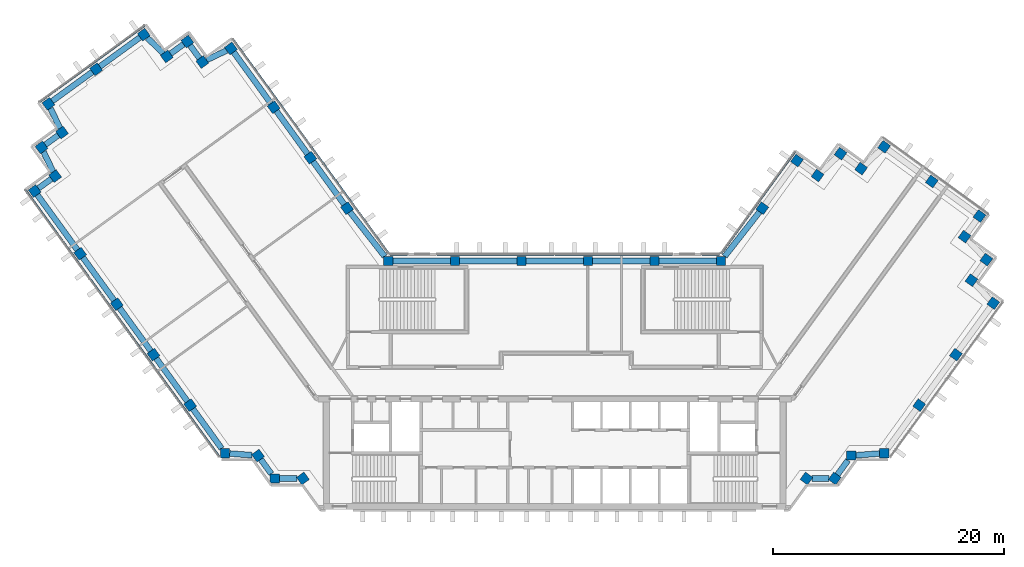
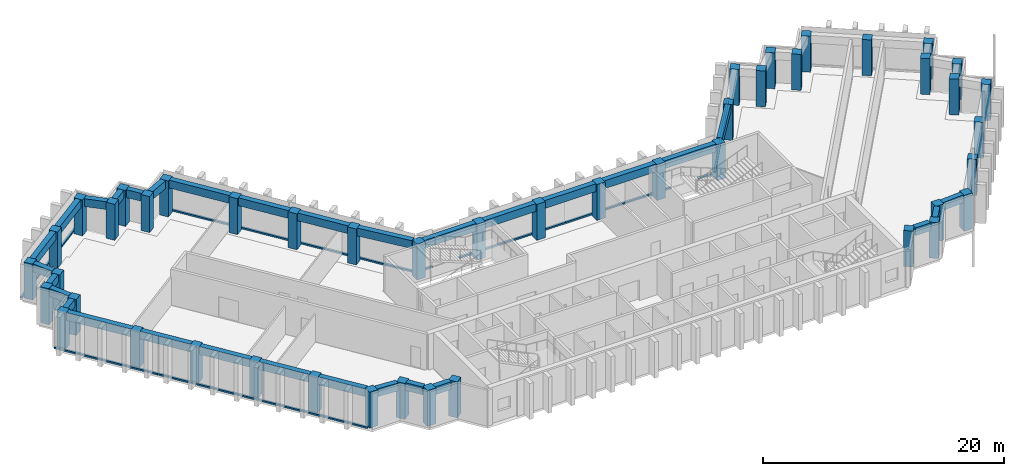
"""IFC4 building model written with IfcOpenShell, lengths in metres."""

from ifc_helpers import new_model, si_unit, direction, frame, origin, origin_2d, place, context, subcontext, project, spatial, rectangle, extrude, material, material_profile, profile_set, type_object, element, aggregate, save


model = new_model("IFC4")

# Units and contexts
model_context = context("Model", 3, precision=1e-05, world=origin(), true_north=direction((0.0, 1.0)))
body_context = subcontext(model_context, "Body", "Model", "MODEL_VIEW")
ifc_project = project(units=[si_unit("LENGTHUNIT", "METRE"), si_unit("AREAUNIT", "SQUARE_METRE"), si_unit("VOLUMEUNIT", "CUBIC_METRE"), si_unit("PLANEANGLEUNIT", "RADIAN"), si_unit("MASSUNIT", "GRAM", prefix="KILO")], contexts=[model_context])

# Site, building, storey
site_placement = place(None, origin())
site = spatial("IfcSite", under=ifc_project, at=site_placement, CompositionType="ELEMENT")
building_placement = place(site_placement, origin())
building = spatial("IfcBuilding", under=site, at=building_placement, Name="Quipu Civic Tower", CompositionType="ELEMENT")
storey_1_placement = place(building_placement, frame((0.0, 0.0, 226.0)))
storey_1 = spatial("IfcBuildingStorey", under=building, at=storey_1_placement, Name="L53", CompositionType="ELEMENT", Elevation=226.0)

# Columns
ifc_material_1 = material(Name="Concrete C50/60", Category="concrete")
ifc_material_profile_1 = material_profile(ifc_material_1, rectangle(XDim=0.800048828125, YDim=0.800048828125, at=origin_2d()), Name="RC800x800")
ifc_profile_set_1 = profile_set([ifc_material_profile_1], Name="Concrete C50/60")
column_type = type_object("IfcColumnType", Name="Perimeter column RC 800x800 C50/60", PredefinedType="COLUMN", material=ifc_profile_set_1)
for number, where, z_axis, x_axis, name in (
    (1, (-17.9736328125, 15.074951171875, 0.0), (0.0, 0.0, 1.0), (-0.587785252292, 0.809016994375, 0.0), "Column L53 W-IN-01"),
    (2, (-21.1474609375, 19.44384765625, 0.0), (0.0, 0.0, 1.0), (-0.587785252292, 0.809016994375, 0.0), "Column L53 W-IN-02"),
    (3, (-24.3212890625, 23.8125, 0.0), (0.0, 0.0, 1.0), (-0.587785252292, 0.809016994375, 0.0), "Column L53 W-IN-03"),
    (4, (-28.02001953125, 28.905029296875, 0.0), (0.0, 0.0, 1.0), (-0.809016994375, -0.587785252292, 0.0), "Column L53 T-Wi.0-W34"),
    (5, (-30.498779296875, 27.72265625, 0.0), (0.0, 0.0, 1.0), (-0.809016994375, -0.587785252292, 0.0), "Column L53 T-Wi.1-W34"),
    (6, (-31.794921875, 29.5, 0.0), (0.0, 0.0, 1.0), (-0.587785252292, 0.809016994375, 0.0), "Column L53 T-Wi.2-W34"),
    (7, (-33.573974609375, 28.20947265625, 0.0), (0.0, 0.0, 1.0), (-0.587785252292, 0.809016994375, 0.0), "Column L53 T-Wi.3-W34"),
    (8, (-35.56494140625, 30.10009765625, 0.0), (0.0, 0.0, 1.0), (-0.809016994375, -0.587785252292, 0.0), "Column L53 T-Wi.4-W34"),
    (9, (-39.690673828125, 27.10205078125, 0.0), (0.0, 0.0, 1.0), (-0.809016994375, -0.587785252292, 0.0), "Column L53 TIP-W-01-W34"),
    (10, (-43.81494140625, 24.10498046875, 0.0), (0.0, 0.0, 1.0), (-0.809016994375, -0.587785252292, 0.0), "Column L53 T-Wo.0-W34"),
    (11, (-42.635009765625, 21.626220703125, 0.0), (0.0, 0.0, 1.0), (-0.809016994375, -0.587785252292, 0.0), "Column L53 T-Wo.1-W34"),
    (12, (-44.4150390625, 20.3349609375, 0.0), (0.0, 0.0, 1.0), (0.587785252292, -0.809016994375, 0.0), "Column L53 T-Wo.2-W34"),
    (13, (-43.23095703125, 17.8544921875, 0.0), (0.0, 0.0, 1.0), (0.587785252292, -0.809016994375, 0.0), "Column L53 T-Wo.3-W34"),
    (14, (-45.010009765625, 16.56005859375, 0.0), (0.0, 0.0, 1.0), (0.587785252292, -0.809016994375, 0.0), "Column L53 T-Wo.4-W34"),
    (15, (-41.0703125, 11.137451171875, 0.0), (0.0, 0.0, 1.0), (0.587785252292, -0.809016994375, 0.0), "Column L53 W-OUT-04"),
    (16, (-37.896240234375, 6.768798828125, 0.0), (0.0, 0.0, 1.0), (0.587785252292, -0.809016994375, 0.0), "Column L53 W-OUT-03"),
    (17, (-34.722412109375, 2.39990234375, 0.0), (0.0, 0.0, 1.0), (0.587785252292, -0.809016994375, 0.0), "Column L53 W-OUT-02"),
    (18, (-31.54833984375, -1.96875, 0.0), (0.0, 0.0, 1.0), (0.587785252292, -0.809016994375, 0.0), "Column L53 W-OUT-01"),
    (19, (-28.52490234375, -6.1298828125, 0.0), (0.0, 0.0, 1.0), (1.0, 0.0, 0.0), "Column L53 J-Wo.0"),
    (20, (-25.67431640625, -6.3369140625, 0.0), (0.0, 0.0, 1.0), (0.587785252292, -0.809016994375, 0.0), "Column L53 J-Wo.1"),
    (21, (-24.235107421875, -8.31494140625, 0.0), (0.0, 0.0, 1.0), (1.0, 0.0, 0.0), "Column L53 J-Wo.2"),
    (22, (-21.791748046875, -8.31494140625, 0.0), (0.0, 0.0, 1.0), (0.587785252292, -0.809016994375, 0.0), "Column L53 J-Wo.3"),
    (23, (21.791748046875, -8.31494140625, 0.0), (0.0, 0.0, 1.0), (0.587785252292, 0.809016994375, 0.0), "Column L53 J-Eo.1"),
    (24, (24.235107421875, -8.31494140625, 0.0), (0.0, 0.0, 1.0), (0.587785252292, 0.809016994375, 0.0), "Column L53 J-Eo.2"),
    (25, (25.67431640625, -6.3369140625, 0.0), (0.0, 0.0, 1.0), (1.0, 0.0, 0.0), "Column L53 J-Eo.3"),
    (26, (28.52490234375, -6.1298828125, 0.0), (0.0, 0.0, 1.0), (1.0, 0.0, 0.0), "Column L53 J-Eo.4"),
    (27, (31.54833984375, -1.96875, 0.0), (0.0, 0.0, 1.0), (0.587785252292, 0.809016994375, 0.0), "Column L53 E-OUT-01"),
    (28, (34.722412109375, 2.39990234375, 0.0), (0.0, 0.0, 1.0), (0.587785252292, 0.809016994375, 0.0), "Column L53 E-OUT-02"),
    (29, (37.9599609375, 6.85498046875, 0.0), (0.0, 0.0, 1.0), (0.587785252292, 0.809016994375, 0.0), "Column L53 T-Eo.0-E22"),
    (30, (36.068115234375, 8.843994140625, 0.0), (0.0, 0.0, 1.0), (0.587785252292, 0.809016994375, 0.0), "Column L53 T-Eo.1-E22"),
    (31, (37.360107421875, 10.625, 0.0), (0.0, 0.0, 1.0), (0.587785252292, 0.809016994375, 0.0), "Column L53 T-Eo.2-E22"),
    (32, (35.470703125, 12.616455078125, 0.0), (0.0, 0.0, 1.0), (-0.809016994375, 0.587785252292, 0.0), "Column L53 T-Eo.3-E22"),
    (33, (36.764892578125, 14.39501953125, 0.0), (0.0, 0.0, 1.0), (-0.809016994375, 0.587785252292, 0.0), "Column L53 T-Eo.4-E22"),
    (34, (32.636962890625, 17.39306640625, 0.0), (0.0, 0.0, 1.0), (-0.809016994375, 0.587785252292, 0.0), "Column L53 TIP-E-01-E22"),
    (35, (28.510009765625, 20.389892578125, 0.0), (0.0, 0.0, 1.0), (-0.587785252292, -0.809016994375, 0.0), "Column L53 T-Ei.0-E22"),
    (36, (26.51904296875, 18.50048828125, 0.0), (0.0, 0.0, 1.0), (-0.809016994375, 0.587785252292, 0.0), "Column L53 T-Ei.1-E22"),
    (37, (24.739990234375, 19.794921875, 0.0), (0.0, 0.0, 1.0), (-0.587785252292, -0.809016994375, 0.0), "Column L53 T-Ei.2-E22"),
    (38, (22.749267578125, 17.904296875, 0.0), (0.0, 0.0, 1.0), (-0.587785252292, -0.809016994375, 0.0), "Column L53 T-Ei.3-E22"),
    (39, (20.969970703125, 19.195068359375, 0.0), (0.0, 0.0, 1.0), (-0.587785252292, -0.809016994375, 0.0), "Column L53 T-Ei.4-E22"),
    (40, (17.9736328125, 15.074951171875, 0.0), (0.0, 0.0, 1.0), (-0.587785252292, -0.809016994375, 0.0), "Column L53 E-IN-01"),
    (41, (14.395263671875, 10.5, 0.0), (0.0, 0.0, 1.0), (-1.0, 0.0, 0.0), "Column L53 J-Ei.0"),
    (42, (8.63720703125, 10.5, 0.0), (0.0, 0.0, 1.0), (-1.0, 0.0, 0.0), "Column L53 FRONT-01"),
    (43, (2.87890625, 10.5, 0.0), (0.0, 0.0, 1.0), (-1.0, 0.0, 0.0), "Column L53 FRONT-02"),
    (44, (-2.87890625, 10.5, 0.0), (0.0, 0.0, 1.0), (-1.0, 0.0, 0.0), "Column L53 FRONT-03"),
    (45, (-8.63720703125, 10.5, 0.0), (0.0, 0.0, 1.0), (-1.0, 0.0, 0.0), "Column L53 FRONT-04"),
    (46, (-14.395263671875, 10.5, 0.0), (0.0, 0.0, 1.0), (-1.0, 0.0, 0.0), "Column L53 J-Wi.0"),
):
    element("IfcColumn", number, at=place(storey_1_placement, frame(where, z_axis=z_axis, x_axis=x_axis)), inside=storey_1, type_object=column_type, Name=name, PredefinedType="COLUMN", context=body_context, shape_type="SweptSolid", body=[
        extrude(rectangle(XDim=0.800048828125, YDim=0.800048828125, at=origin_2d()), origin(), (0.0, 0.0, 1.0), 3.64990234375),
    ])

# Beams
ifc_material_2 = material(Name="Concrete C50/60", Category="concrete")
ifc_material_profile_2 = material_profile(ifc_material_2, rectangle(XDim=0.5, YDim=0.800048828125, at=origin_2d()), Name="RC500x800")
ifc_profile_set_2 = profile_set([ifc_material_profile_2], Name="Concrete C50/60")
beam_type = type_object("IfcBeamType", Name="Spandrel beam RC 500x800 C50/60", PredefinedType="SPANDREL", material=ifc_profile_set_2)
beam_1_placement = place(storey_1_placement, frame((-18.208740234375, 15.398681640625, 3.25), z_axis=(-0.58776136044, 0.809034352283, 0.0), x_axis=(-0.809034352283, -0.58776136044, 0.0)))
element("IfcBeam", 47, at=beam_1_placement, inside=storey_1, type_object=beam_type, Name="Spandrel beam L53 W-IN-01 to W-IN-02", PredefinedType="SPANDREL", context=body_context, shape_type="SweptSolid", body=[
    extrude(rectangle(XDim=0.5, YDim=0.800048828125, at=origin_2d()), origin(), (0.0, 0.0, 1.0), 4.599853515625),
])
beam_2_placement = place(storey_1_placement, frame((-21.382568359375, 19.767333984375, 3.25), z_axis=(-0.587736122681, 0.809052686848, 0.0), x_axis=(-0.809052686848, -0.587736122681, 0.0)))
element("IfcBeam", 48, at=beam_2_placement, inside=storey_1, type_object=beam_type, Name="Spandrel beam L53 W-IN-02 to W-IN-03", PredefinedType="SPANDREL", context=body_context, shape_type="SweptSolid", body=[
    extrude(rectangle(XDim=0.5, YDim=0.800048828125, at=origin_2d()), origin(), (0.0, 0.0, 1.0), 4.60009765625),
])
beam_3_placement = place(storey_1_placement, frame((-24.556396484375, 24.13623046875, 3.25), z_axis=(-0.587664254196, 0.809104890815, 0.0), x_axis=(-0.809104890815, -0.587664254196, 0.0)))
element("IfcBeam", 49, at=beam_3_placement, inside=storey_1, type_object=beam_type, Name="Spandrel beam L53 W-IN-03 to T-Wi.0-W34", PredefinedType="SPANDREL", context=body_context, shape_type="SweptSolid", body=[
    extrude(rectangle(XDim=0.5, YDim=0.800048828125, at=origin_2d()), origin(), (0.0, 0.0, 1.0), 5.493896484375),
])
beam_4_placement = place(storey_1_placement, frame((-28.38720703125, 28.72998046875, 3.25), z_axis=(-0.902584802379, -0.430512107279, 0.0), x_axis=(0.430512107279, -0.902584802379, 0.0)))
element("IfcBeam", 50, at=beam_4_placement, inside=storey_1, type_object=beam_type, Name="Spandrel beam L53 T-Wi.0-W34 to T-Wi.1-W34", PredefinedType="SPANDREL", context=body_context, shape_type="SweptSolid", body=[
    extrude(rectangle(XDim=0.5, YDim=0.800048828125, at=origin_2d()), origin(), (0.0, 0.0, 1.0), 1.9326171875),
])
beam_5_placement = place(storey_1_placement, frame((-30.734375, 28.0458984375, 3.25), z_axis=(-0.589342949835, 0.80788296645, 0.0), x_axis=(-0.80788296645, -0.589342949835, 0.0)))
element("IfcBeam", 51, at=beam_5_placement, inside=storey_1, type_object=beam_type, Name="Spandrel beam L53 T-Wi.1-W34 to T-Wi.2-W34", PredefinedType="SPANDREL", context=body_context, shape_type="SweptSolid", body=[
    extrude(rectangle(XDim=0.5, YDim=0.800048828125, at=origin_2d()), origin(), (0.0, 0.0, 1.0), 1.39990234375),
])
beam_6_placement = place(storey_1_placement, frame((-32.118896484375, 29.26513671875, 3.25), z_axis=(-0.80941533633, -0.587236590578, 0.0), x_axis=(0.587236590578, -0.80941533633, 0.0)))
element("IfcBeam", 52, at=beam_6_placement, inside=storey_1, type_object=beam_type, Name="Spandrel beam L53 T-Wi.2-W34 to T-Wi.3-W34", PredefinedType="SPANDREL", context=body_context, shape_type="SweptSolid", body=[
    extrude(rectangle(XDim=0.5, YDim=0.800048828125, at=origin_2d()), origin(), (0.0, 0.0, 1.0), 1.397705078125),
])
beam_7_placement = place(storey_1_placement, frame((-33.868896484375, 28.489501953125, 3.25), z_axis=(-0.72519185421, 0.68854685722, 0.0), x_axis=(-0.68854685722, -0.72519185421, 0.0)))
element("IfcBeam", 53, at=beam_7_placement, inside=storey_1, type_object=beam_type, Name="Spandrel beam L53 T-Wi.3-W34 to T-Wi.4-W34", PredefinedType="SPANDREL", context=body_context, shape_type="SweptSolid", body=[
    extrude(rectangle(XDim=0.5, YDim=0.800048828125, at=origin_2d()), origin(), (0.0, 0.0, 1.0), 1.93212890625),
])
beam_8_placement = place(storey_1_placement, frame((-35.888671875, 29.86474609375, 3.25), z_axis=(-0.808983997561, -0.58783066583, 0.0), x_axis=(0.58783066583, -0.808983997561, 0.0)))
element("IfcBeam", 54, at=beam_8_placement, inside=storey_1, type_object=beam_type, Name="Spandrel beam L53 T-Wi.4-W34 to TIP-W-01-W34", PredefinedType="SPANDREL", context=body_context, shape_type="SweptSolid", body=[
    extrude(rectangle(XDim=0.5, YDim=0.800048828125, at=origin_2d()), origin(), (0.0, 0.0, 1.0), 4.2998046875),
])
beam_9_placement = place(storey_1_placement, frame((-40.014404296875, 26.866943359375, 3.25), z_axis=(-0.808947267178, -0.587881211578, 0.0), x_axis=(0.587881211578, -0.808947267178, 0.0)))
element("IfcBeam", 55, at=beam_9_placement, inside=storey_1, type_object=beam_type, Name="Spandrel beam L53 TIP-W-01-W34 to T-Wo.0-W34", PredefinedType="SPANDREL", context=body_context, shape_type="SweptSolid", body=[
    extrude(rectangle(XDim=0.5, YDim=0.800048828125, at=origin_2d()), origin(), (0.0, 0.0, 1.0), 4.29833984375),
])
beam_10_placement = place(storey_1_placement, frame((-43.64013671875, 23.737548828125, 3.25), z_axis=(0.429889421342, -0.902881545618, 0.0), x_axis=(0.902881545618, 0.429889421342, 0.0)))
element("IfcBeam", 56, at=beam_10_placement, inside=storey_1, type_object=beam_type, Name="Spandrel beam L53 T-Wo.0-W34 to T-Wo.1-W34", PredefinedType="SPANDREL", context=body_context, shape_type="SweptSolid", body=[
    extrude(rectangle(XDim=0.5, YDim=0.800048828125, at=origin_2d()), origin(), (0.0, 0.0, 1.0), 1.931396484375),
])
beam_11_placement = place(storey_1_placement, frame((-42.958740234375, 21.391357421875, 3.25), z_axis=(-0.809467380413, -0.587164849125, 0.0), x_axis=(0.587164849125, -0.809467380413, 0.0)))
element("IfcBeam", 57, at=beam_11_placement, inside=storey_1, type_object=beam_type, Name="Spandrel beam L53 T-Wo.1-W34 to T-Wo.2-W34", PredefinedType="SPANDREL", context=body_context, shape_type="SweptSolid", body=[
    extrude(rectangle(XDim=0.5, YDim=0.800048828125, at=origin_2d()), origin(), (0.0, 0.0, 1.0), 1.399169921875),
])
beam_12_placement = place(storey_1_placement, frame((-44.23974609375, 19.9677734375, 3.25), z_axis=(0.430785642718, -0.902454281406, 0.0), x_axis=(0.902454281406, 0.430785642718, 0.0)))
element("IfcBeam", 58, at=beam_12_placement, inside=storey_1, type_object=beam_type, Name="Spandrel beam L53 T-Wo.2-W34 to T-Wo.3-W34", PredefinedType="SPANDREL", context=body_context, shape_type="SweptSolid", body=[
    extrude(rectangle(XDim=0.5, YDim=0.800048828125, at=origin_2d()), origin(), (0.0, 0.0, 1.0), 1.934814453125),
])
beam_13_placement = place(storey_1_placement, frame((-43.554443359375, 17.619140625, 3.25), z_axis=(-0.808600329101, -0.588358315805, 0.0), x_axis=(0.588358315805, -0.808600329101, 0.0)))
element("IfcBeam", 59, at=beam_13_placement, inside=storey_1, type_object=beam_type, Name="Spandrel beam L53 T-Wo.3-W34 to T-Wo.4-W34", PredefinedType="SPANDREL", context=body_context, shape_type="SweptSolid", body=[
    extrude(rectangle(XDim=0.5, YDim=0.800048828125, at=origin_2d()), origin(), (0.0, 0.0, 1.0), 1.400146484375),
])
beam_14_placement = place(storey_1_placement, frame((-44.77490234375, 16.236328125, 3.25), z_axis=(0.58780026889, -0.809006083965, 0.0), x_axis=(0.809006083965, 0.58780026889, 0.0)))
element("IfcBeam", 60, at=beam_14_placement, inside=storey_1, type_object=beam_type, Name="Spandrel beam L53 T-Wo.4-W34 to W-OUT-04", PredefinedType="SPANDREL", context=body_context, shape_type="SweptSolid", body=[
    extrude(rectangle(XDim=0.5, YDim=0.800048828125, at=origin_2d()), origin(), (0.0, 0.0, 1.0), 5.902587890625),
])
beam_15_placement = place(storey_1_placement, frame((-40.835205078125, 10.81396484375, 3.25), z_axis=(0.587770861189, -0.809027449928, 0.0), x_axis=(0.809027449928, 0.587770861189, 0.0)))
element("IfcBeam", 61, at=beam_15_placement, inside=storey_1, type_object=beam_type, Name="Spandrel beam L53 W-OUT-04 to W-OUT-03", PredefinedType="SPANDREL", context=body_context, shape_type="SweptSolid", body=[
    extrude(rectangle(XDim=0.5, YDim=0.800048828125, at=origin_2d()), origin(), (0.0, 0.0, 1.0), 4.60009765625),
])
beam_16_placement = place(storey_1_placement, frame((-37.6611328125, 6.445068359375, 3.25), z_axis=(0.58776136044, -0.809034352283, 0.0), x_axis=(0.809034352283, 0.58776136044, 0.0)))
element("IfcBeam", 62, at=beam_16_placement, inside=storey_1, type_object=beam_type, Name="Spandrel beam L53 W-OUT-03 to W-OUT-02", PredefinedType="SPANDREL", context=body_context, shape_type="SweptSolid", body=[
    extrude(rectangle(XDim=0.5, YDim=0.800048828125, at=origin_2d()), origin(), (0.0, 0.0, 1.0), 4.599853515625),
])
beam_17_placement = place(storey_1_placement, frame((-34.4873046875, 2.076416015625, 3.25), z_axis=(0.587796098864, -0.809009113768, 0.0), x_axis=(0.809009113768, 0.587796098864, 0.0)))
element("IfcBeam", 63, at=beam_17_placement, inside=storey_1, type_object=beam_type, Name="Spandrel beam L53 W-OUT-02 to W-OUT-01", PredefinedType="SPANDREL", context=body_context, shape_type="SweptSolid", body=[
    extrude(rectangle(XDim=0.5, YDim=0.800048828125, at=origin_2d()), origin(), (0.0, 0.0, 1.0), 4.60009765625),
])
beam_18_placement = place(storey_1_placement, frame((-31.313232421875, -2.292236328125, 3.25), z_axis=(0.58776850526, -0.809029161541, 0.0), x_axis=(0.809029161541, 0.58776850526, 0.0)))
element("IfcBeam", 64, at=beam_18_placement, inside=storey_1, type_object=beam_type, Name="Spandrel beam L53 W-OUT-01 to J-Wo.0", PredefinedType="SPANDREL", context=body_context, shape_type="SweptSolid", body=[
    extrude(rectangle(XDim=0.5, YDim=0.800048828125, at=origin_2d()), origin(), (0.0, 0.0, 1.0), 4.249267578125),
])
beam_19_placement = place(storey_1_placement, frame((-28.125, -6.158935546875, 3.25), z_axis=(0.997370796499, -0.072467194581, 0.0), x_axis=(0.072467194581, 0.997370796499, 0.0)))
element("IfcBeam", 65, at=beam_19_placement, inside=storey_1, type_object=beam_type, Name="Spandrel beam L53 J-Wo.0 to J-Wo.1", PredefinedType="SPANDREL", context=body_context, shape_type="SweptSolid", body=[
    extrude(rectangle(XDim=0.5, YDim=0.800048828125, at=origin_2d()), origin(), (0.0, 0.0, 1.0), 1.933837890625),
])
beam_20_placement = place(storey_1_placement, frame((-25.43896484375, -6.660400390625, 3.25), z_axis=(0.588330737135, -0.808620395329, 0.0), x_axis=(0.808620395329, 0.588330737135, 0.0)))
element("IfcBeam", 66, at=beam_20_placement, inside=storey_1, type_object=beam_type, Name="Spandrel beam L53 J-Wo.1 to J-Wo.2", PredefinedType="SPANDREL", context=body_context, shape_type="SweptSolid", body=[
    extrude(rectangle(XDim=0.5, YDim=0.800048828125, at=origin_2d()), origin(), (0.0, 0.0, 1.0), 1.551513671875),
])
beam_21_placement = place(storey_1_placement, frame((-23.8349609375, -8.31494140625, 3.25), z_axis=(1.0, 0.0, 0.0), x_axis=(0.0, 1.0, 0.0)))
element("IfcBeam", 67, at=beam_21_placement, inside=storey_1, type_object=beam_type, Name="Spandrel beam L53 J-Wo.2 to J-Wo.3", PredefinedType="SPANDREL", context=body_context, shape_type="SweptSolid", body=[
    extrude(rectangle(XDim=0.5, YDim=0.800048828125, at=origin_2d()), origin(), (0.0, 0.0, 1.0), 1.548828125),
])
beam_22_placement = place(storey_1_placement, frame((22.2861328125, -8.31494140625, 3.25), z_axis=(1.0, 0.0, 0.0), x_axis=(0.0, 1.0, 0.0)))
element("IfcBeam", 68, at=beam_22_placement, inside=storey_1, type_object=beam_type, Name="Spandrel beam L53 J-Eo.1 to J-Eo.2", PredefinedType="SPANDREL", context=body_context, shape_type="SweptSolid", body=[
    extrude(rectangle(XDim=0.5, YDim=0.800048828125, at=origin_2d()), origin(), (0.0, 0.0, 1.0), 1.454345703125),
])
beam_23_placement = place(storey_1_placement, frame((24.470458984375, -7.991455078125, 3.25), z_axis=(0.588405601119, 0.808565920981, 0.0), x_axis=(-0.808565920981, 0.588405601119, 0.0)))
element("IfcBeam", 69, at=beam_23_placement, inside=storey_1, type_object=beam_type, Name="Spandrel beam L53 J-Eo.2 to J-Eo.3", PredefinedType="SPANDREL", context=body_context, shape_type="SweptSolid", body=[
    extrude(rectangle(XDim=0.5, YDim=0.800048828125, at=origin_2d()), origin(), (0.0, 0.0, 1.0), 1.55126953125),
])
beam_24_placement = place(storey_1_placement, frame((26.074462890625, -6.307861328125, 3.25), z_axis=(0.997372997143, 0.072436900614, 0.0), x_axis=(-0.072436900614, 0.997372997143, 0.0)))
element("IfcBeam", 70, at=beam_24_placement, inside=storey_1, type_object=beam_type, Name="Spandrel beam L53 J-Eo.3 to J-Eo.4", PredefinedType="SPANDREL", context=body_context, shape_type="SweptSolid", body=[
    extrude(rectangle(XDim=0.5, YDim=0.800048828125, at=origin_2d()), origin(), (0.0, 0.0, 1.0), 2.055908203125),
])
beam_25_placement = place(storey_1_placement, frame((17.72705078125, 14.759765625, 3.25), z_axis=(-0.616090612932, -0.787675286306, 0.0), x_axis=(0.787675286306, -0.616090612932, 0.0)))
element("IfcBeam", 71, at=beam_25_placement, inside=storey_1, type_object=beam_type, Name="Spandrel beam L53 E-IN-01 to J-Ei.0", PredefinedType="SPANDREL", context=body_context, shape_type="SweptSolid", body=[
    extrude(rectangle(XDim=0.5, YDim=0.800048828125, at=origin_2d()), origin(), (0.0, 0.0, 1.0), 4.900390625),
])
for number, where, z_axis, x_axis, name in (
    (72, (13.9951171875, 10.5, 3.25), (-1.0, 0.0, 0.0), (0.0, -1.0, 0.0), "Spandrel beam L53 J-Ei.0 to FRONT-01"),
    (73, (8.237060546875, 10.5, 3.25), (-1.0, 0.0, 0.0), (0.0, -1.0, 0.0), "Spandrel beam L53 FRONT-01 to FRONT-02"),
    (74, (2.47900390625, 10.5, 3.25), (-1.0, 0.0, 0.0), (0.0, -1.0, 0.0), "Spandrel beam L53 FRONT-02 to FRONT-03"),
    (75, (-3.279052734375, 10.5, 3.25), (-1.0, 0.0, 0.0), (0.0, -1.0, 0.0), "Spandrel beam L53 FRONT-03 to FRONT-04"),
    (76, (-9.037109375, 10.5, 3.25), (-1.0, 0.0, 0.0), (0.0, -1.0, 0.0), "Spandrel beam L53 FRONT-04 to J-Wi.0"),
):
    element("IfcBeam", number, at=place(storey_1_placement, frame(where, z_axis=z_axis, x_axis=x_axis)), inside=storey_1, type_object=beam_type, Name=name, PredefinedType="SPANDREL", context=body_context, shape_type="SweptSolid", body=[
        extrude(rectangle(XDim=0.5, YDim=0.800048828125, at=origin_2d()), origin(), (0.0, 0.0, 1.0), 4.9580078125),
    ])
beam_26_placement = place(storey_1_placement, frame((-14.7080078125, 10.89990234375, 3.25), z_axis=(-0.616090612932, 0.787675286306, 0.0), x_axis=(-0.787675286306, -0.616090612932, 0.0)))
element("IfcBeam", 77, at=beam_26_placement, inside=storey_1, type_object=beam_type, Name="Spandrel beam L53 J-Wi.0 to W-IN-01", PredefinedType="SPANDREL", context=body_context, shape_type="SweptSolid", body=[
    extrude(rectangle(XDim=0.5, YDim=0.800048828125, at=origin_2d()), origin(), (0.0, 0.0, 1.0), 4.900390625),
])

# Storey
storey_2_placement = place(building_placement, frame((0.0, 0.0, 222.0)))
storey_2 = spatial("IfcBuildingStorey", under=building, at=storey_2_placement, Name="L52", CompositionType="ELEMENT", Elevation=222.0)

# Curtain wall, members
ifc_material_3 = material(Name="Insulated glass unit", Category="glass")
curtain_wall_type = type_object("IfcCurtainWallType", Name="Office curtain wall CW1", PredefinedType="NOTDEFINED", material=ifc_material_3)
curtain_wall_1_placement = place(storey_2_placement, origin())
curtain_wall_1 = element("IfcCurtainWall", 78, at=curtain_wall_1_placement, inside=storey_2, type_object=curtain_wall_type, Name="Office curtain wall CW1 L51 run 1", PredefinedType="NOTDEFINED")
ifc_material_4 = material(Name="Anodised aluminium", Category="aluminium")
ifc_material_profile_3 = material_profile(ifc_material_4, rectangle(XDim=0.199951171875, YDim=0.159912109375, at=origin_2d()), Name="RECT 200x160")
ifc_profile_set_3 = profile_set([ifc_material_profile_3], Name="Anodised aluminium")
member_type = type_object("IfcMemberType", Name="Transom CW1", PredefinedType="USERDEFINED", material=ifc_profile_set_3)
member_1_placement = place(storey_1_placement, frame((-14.39111328125, 11.164794921875, 0.080078125), z_axis=(-0.587799878401, 0.809006367683, 0.0), x_axis=(-0.809006367683, -0.587799878401, 0.0)))
member_1 = element("IfcMember", 79, at=member_1_placement, inside=storey_1, type_object=member_type, Name="CW1 transom 1.3", ObjectType="TRANSOM", PredefinedType="USERDEFINED", context=body_context, shape_type="SweptSolid", body=[
    extrude(rectangle(XDim=0.199951171875, YDim=0.159912109375, at=origin_2d()), origin(), (0.0, 0.0, 1.0), 11.402099609375),
])
member_2_placement = place(storey_1_placement, frame((-21.140380859375, 20.453857421875, 0.080078125), z_axis=(-0.587775682251, 0.809023947331, 0.0), x_axis=(-0.809023947331, -0.587775682251, 0.0)))
member_2 = element("IfcMember", 80, at=member_2_placement, inside=storey_1, type_object=member_type, Name="CW1 transom 2.3", ObjectType="TRANSOM", PredefinedType="USERDEFINED", context=body_context, shape_type="SweptSolid", body=[
    extrude(rectangle(XDim=0.199951171875, YDim=0.159912109375, at=origin_2d()), origin(), (0.0, 0.0, 1.0), 11.402099609375),
])
aggregate(curtain_wall_1, [member_1, member_2])

# Curtain wall, member
curtain_wall_2_placement = place(storey_2_placement, origin())
curtain_wall_2 = element("IfcCurtainWall", 81, at=curtain_wall_2_placement, inside=storey_2, type_object=curtain_wall_type, Name="Office curtain wall CW1 L51 run 6", PredefinedType="NOTDEFINED")
member_3_placement = place(storey_1_placement, frame((-35.496826171875, 30.890869140625, 0.080078125), z_axis=(-0.809014959561, -0.587788052963, 0.0), x_axis=(0.587788052963, -0.809014959561, 0.0)))
member_3 = element("IfcMember", 82, at=member_3_placement, inside=storey_1, type_object=member_type, Name="CW1 transom 1.3", ObjectType="TRANSOM", PredefinedType="USERDEFINED", context=body_context, shape_type="SweptSolid", body=[
    extrude(rectangle(XDim=0.199951171875, YDim=0.159912109375, at=origin_2d()), origin(), (0.0, 0.0, 1.0), 11.239990234375),
])
aggregate(curtain_wall_2, [member_3])

# Curtain wall, members
curtain_wall_3_placement = place(storey_2_placement, origin())
curtain_wall_3 = element("IfcCurtainWall", 83, at=curtain_wall_3_placement, inside=storey_2, type_object=curtain_wall_type, Name="Office curtain wall CW1 L51 run 11", PredefinedType="NOTDEFINED")
member_4_placement = place(storey_1_placement, frame((-45.802490234375, 16.629638671875, 0.080078125), z_axis=(0.587783783239, -0.809018061703, 0.0), x_axis=(0.809018061703, 0.587783783239, 0.0)))
member_4 = element("IfcMember", 84, at=member_4_placement, inside=storey_1, type_object=member_type, Name="CW1 transom 1.3", ObjectType="TRANSOM", PredefinedType="USERDEFINED", context=body_context, shape_type="SweptSolid", body=[
    extrude(rectangle(XDim=0.199951171875, YDim=0.159912109375, at=origin_2d()), origin(), (0.0, 0.0, 1.0), 9.431884765625),
])
member_5_placement = place(storey_1_placement, frame((-40.21142578125, 8.934326171875, 0.080078125), z_axis=(0.587773158676, -0.809025780763, 0.0), x_axis=(0.809025780763, 0.587773158676, 0.0)))
member_5 = element("IfcMember", 85, at=member_5_placement, inside=storey_1, type_object=member_type, Name="CW1 transom 2.3", ObjectType="TRANSOM", PredefinedType="USERDEFINED", context=body_context, shape_type="SweptSolid", body=[
    extrude(rectangle(XDim=0.199951171875, YDim=0.159912109375, at=origin_2d()), origin(), (0.0, 0.0, 1.0), 9.471923828125),
])
member_6_placement = place(storey_1_placement, frame((-34.596923828125, 1.20654296875, 0.080078125), z_axis=(0.587783783239, -0.809018061703, 0.0), x_axis=(0.809018061703, 0.587783783239, 0.0)))
member_6 = element("IfcMember", 86, at=member_6_placement, inside=storey_1, type_object=member_type, Name="CW1 transom 3.3", ObjectType="TRANSOM", PredefinedType="USERDEFINED", context=body_context, shape_type="SweptSolid", body=[
    extrude(rectangle(XDim=0.199951171875, YDim=0.159912109375, at=origin_2d()), origin(), (0.0, 0.0, 1.0), 9.431884765625),
])
aggregate(curtain_wall_3, [member_4, member_5, member_6])

# Curtain wall, member
curtain_wall_4_placement = place(storey_2_placement, origin())
curtain_wall_4 = element("IfcCurtainWall", 87, at=curtain_wall_4_placement, inside=storey_2, type_object=curtain_wall_type, Name="Office curtain wall CW1 L51 run 26", PredefinedType="NOTDEFINED")
member_7_placement = place(storey_1_placement, frame((20.788818359375, 19.97021484375, 0.080078125), z_axis=(-0.587796859727, -0.809008560953, 0.0), x_axis=(0.809008560953, -0.587796859727, 0.0)))
member_7 = element("IfcMember", 88, at=member_7_placement, inside=storey_1, type_object=member_type, Name="CW1 transom 1.3", ObjectType="TRANSOM", PredefinedType="USERDEFINED", context=body_context, shape_type="SweptSolid", body=[
    extrude(rectangle(XDim=0.199951171875, YDim=0.159912109375, at=origin_2d()), origin(), (0.0, 0.0, 1.0), 10.88427734375),
])
aggregate(curtain_wall_4, [member_7])

curtain_wall_5_placement = place(storey_2_placement, origin())
curtain_wall_5 = element("IfcCurtainWall", 89, at=curtain_wall_5_placement, inside=storey_2, type_object=curtain_wall_type, Name="Office curtain wall CW1 L51 run 27", PredefinedType="NOTDEFINED")
member_8_placement = place(storey_1_placement, frame((14.26416015625, 11.10009765625, 0.080078125), z_axis=(-1.0, 0.0, 0.0), x_axis=(0.0, -1.0, 0.0)))
member_8 = element("IfcMember", 90, at=member_8_placement, inside=storey_1, type_object=member_type, Name="CW1 transom 1.3", ObjectType="TRANSOM", PredefinedType="USERDEFINED", context=body_context, shape_type="SweptSolid", body=[
    extrude(rectangle(XDim=0.199951171875, YDim=0.159912109375, at=origin_2d()), origin(), (0.0, 0.0, 1.0), 1.529052734375),
])
aggregate(curtain_wall_5, [member_8])

# Curtain wall, members
curtain_wall_6_placement = place(storey_2_placement, origin())
curtain_wall_6 = element("IfcCurtainWall", 91, at=curtain_wall_6_placement, inside=storey_2, type_object=curtain_wall_type, Name="Office curtain wall CW1 L51 run 29", PredefinedType="NOTDEFINED")
member_9_placement = place(storey_1_placement, frame((10.18359375, 11.10009765625, 0.080078125), z_axis=(-1.0, 0.0, 0.0), x_axis=(0.0, -1.0, 0.0)))
member_9 = element("IfcMember", 92, at=member_9_placement, inside=storey_1, type_object=member_type, Name="CW1 transom 1.3", ObjectType="TRANSOM", PredefinedType="USERDEFINED", context=body_context, shape_type="SweptSolid", body=[
    extrude(rectangle(XDim=0.199951171875, YDim=0.159912109375, at=origin_2d()), origin(), (0.0, 0.0, 1.0), 10.1435546875),
])
member_10_placement = place(storey_1_placement, frame((-0.0400390625, 11.10009765625, 0.080078125), z_axis=(-1.0, 0.0, 0.0), x_axis=(0.0, -1.0, 0.0)))
member_10 = element("IfcMember", 93, at=member_10_placement, inside=storey_1, type_object=member_type, Name="CW1 transom 2.3", ObjectType="TRANSOM", PredefinedType="USERDEFINED", context=body_context, shape_type="SweptSolid", body=[
    extrude(rectangle(XDim=0.199951171875, YDim=0.159912109375, at=origin_2d()), origin(), (0.0, 0.0, 1.0), 10.1435546875),
])
aggregate(curtain_wall_6, [member_9, member_10])

# Curtain wall, member
curtain_wall_7_placement = place(storey_2_placement, origin())
curtain_wall_7 = element("IfcCurtainWall", 94, at=curtain_wall_7_placement, inside=storey_2, type_object=curtain_wall_type, Name="Office curtain wall CW1 L51 run 31", PredefinedType="NOTDEFINED")
member_11_placement = place(storey_1_placement, frame((-12.735107421875, 11.10009765625, 0.080078125), z_axis=(-1.0, 0.0, 0.0), x_axis=(0.0, -1.0, 0.0)))
member_11 = element("IfcMember", 95, at=member_11_placement, inside=storey_1, type_object=member_type, Name="CW1 transom 1.3", ObjectType="TRANSOM", PredefinedType="USERDEFINED", context=body_context, shape_type="SweptSolid", body=[
    extrude(rectangle(XDim=0.199951171875, YDim=0.159912109375, at=origin_2d()), origin(), (0.0, 0.0, 1.0), 1.529052734375),
])
aggregate(curtain_wall_7, [member_11])

save(model, "model.ifc")
